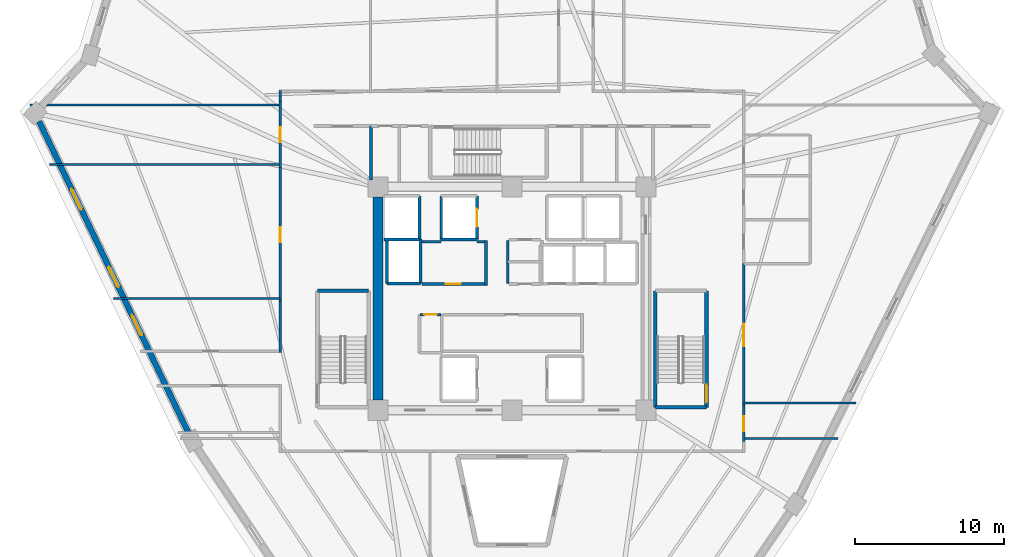
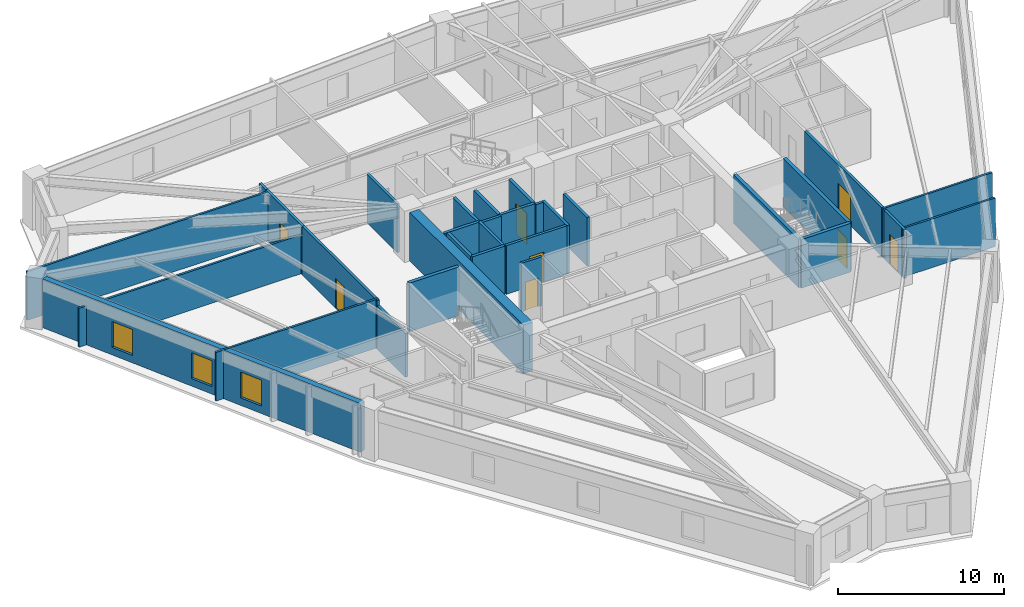
# One storey, part 4 of 8: 32 walls, 8 doors, 3 windows, 11 openings.
"""IFC4 building model written with IfcOpenShell, lengths in metres."""

from ifc_helpers import new_model, si_unit, direction, frame, frame_2d, origin, place, context, subcontext, project, spatial, rectangle, extrude, source, transform, mapped, material, layer, layer_set, type_object, element, fill, save


model = new_model("IFC4")

# Units and contexts
model_context = context("Model", 3, precision=1e-05, world=origin(), true_north=direction((0.0, 1.0)))
body_context = subcontext(model_context, "Body", "Model", "MODEL_VIEW")
ifc_project = project(units=[si_unit("LENGTHUNIT", "METRE"), si_unit("AREAUNIT", "SQUARE_METRE"), si_unit("VOLUMEUNIT", "CUBIC_METRE"), si_unit("PLANEANGLEUNIT", "RADIAN"), si_unit("MASSUNIT", "GRAM", prefix="KILO")], contexts=[model_context])

# Site, building, storey
site_placement = place(None, origin())
site = spatial("IfcSite", under=ifc_project, at=site_placement, CompositionType="ELEMENT")
building_placement = place(site_placement, origin())
building = spatial("IfcBuilding", under=site, at=building_placement, Name="Liaohun Quay Tower", CompositionType="ELEMENT")
storey_placement = place(building_placement, frame((0.0, 0.0, 247.5)))
storey = spatial("IfcBuildingStorey", under=building, at=storey_placement, Name="L64", CompositionType="ELEMENT", Elevation=247.5)

# Wall
ifc_material_1 = material(Name="Concrete C55", Category="concrete")
ifc_layer_1 = layer(ifc_material_1, 0.64990234375, Name="Concrete C55", Category="concrete")
ifc_layer_set_1 = layer_set([ifc_layer_1], Name="Concrete C55")
wall_type_1 = type_object("IfcWallType", Name="WAL-COR-Z3", PredefinedType="SHEAR", material=ifc_layer_set_1)
wall_1_placement = place(storey_placement, frame((51.0, 47.175048828125, 0.0), z_axis=(0.0, 0.0, 1.0), x_axis=(0.0, 1.0, 0.0)))
element("IfcWall", 1, at=wall_1_placement, inside=storey, type_object=wall_type_1, Name="L64 Central Core Shear Wall W", PredefinedType="SHEAR", context=body_context, shape_type="SweptSolid", body=[
    extrude(rectangle(XDim=13.64990234375, YDim=0.64990234375, at=frame_2d((6.824951171875, 0.0))), origin(), (0.0, 0.0, 1.0), 3.570068359375),
])

# Wall, openings, windows
ifc_material_2 = material(Name="Precast concrete C50 insulated sandwich", Category="concrete")
ifc_layer_2 = layer(ifc_material_2, 0.3798828125, Name="Precast concrete C50 insulated sandwich", Category="concrete")
ifc_layer_set_2 = layer_set([ifc_layer_2], Name="Precast concrete C50 insulated sandwich")
wall_type_2 = type_object("IfcWallType", Name="WAL-EXT-Z34", PredefinedType="SOLIDWALL", material=ifc_layer_set_2)
wall_2_placement = place(storey_placement, frame((28.256103515625, 65.885986328125, 0.0), z_axis=(0.0, 0.0, 1.0), x_axis=(0.432167516052, -0.901793345545, 0.0)))
wall_2 = element("IfcWall", 2, at=wall_2_placement, inside=storey, type_object=wall_type_2, Name="L64 Brutalist Precast Pier Wall 10", PredefinedType="SOLIDWALL", context=body_context, shape_type="SweptSolid", body=[
    extrude(rectangle(XDim=23.1572265625, YDim=0.3798828125, at=frame_2d((11.57861328125, 0.0))), origin(), (0.0, 0.0, 1.0), 3.570068359375),
])
shared_shape_1 = source(origin(), body_context, "Body", "SweptSolid", [
    extrude(rectangle(XDim=1.5, YDim=1.89990234375, at=frame_2d((0.75, 0.949951171875))), frame((0.0, 0.199951171875, 0.0), z_axis=(0.0, -1.0, 0.0), x_axis=(1.0, 0.0, 0.0)), (0.0, 0.0, 1.0), 0.39990234375),
])
opening_1_placement = place(wall_2_placement, frame((5.0390625, 0.0, 0.550048828125)))
opening_1 = element("IfcOpeningElement", 3, at=opening_1_placement, cuts=wall_2, Name="Opening W03", PredefinedType="OPENING", context=body_context, shape_type="MappedRepresentation", body=[
    mapped(shared_shape_1, transform((0.0, 0.0, 0.0), x_axis=(1.0, 0.0, 0.0), y_axis=(0.0, 1.0, 0.0), z_axis=(0.0, 0.0, 1.0), scale=1.0)),
])
opening_2_placement = place(wall_2_placement, frame((10.8291015625, 0.0, 0.550048828125)))
opening_2 = element("IfcOpeningElement", 4, at=opening_2_placement, cuts=wall_2, Name="Opening W03", PredefinedType="OPENING", context=body_context, shape_type="MappedRepresentation", body=[
    mapped(shared_shape_1, transform((0.0, 0.0, 0.0), x_axis=(1.0, 0.0, 0.0), y_axis=(0.0, 1.0, 0.0), z_axis=(0.0, 0.0, 1.0), scale=1.0)),
])
opening_3_placement = place(wall_2_placement, frame((14.41796875, 0.0, 0.550048828125)))
opening_3 = element("IfcOpeningElement", 5, at=opening_3_placement, cuts=wall_2, Name="Opening W03", PredefinedType="OPENING", context=body_context, shape_type="MappedRepresentation", body=[
    mapped(shared_shape_1, transform((0.0, 0.0, 0.0), x_axis=(1.0, 0.0, 0.0), y_axis=(0.0, 1.0, 0.0), z_axis=(0.0, 0.0, 1.0), scale=1.0)),
])
ifc_material_3 = material(Name="Triple Low-E argon glazing in thermally broken aluminium", Category="aluminium")
window_type = type_object("IfcWindowType", Name="WIN-PUN-Z3", PartitioningType="DOUBLE_PANEL_VERTICAL", PredefinedType="WINDOW", material=ifc_material_3)
shared_shape_2 = source(origin(), body_context, "Body", "SweptSolid", [
    extrude(rectangle(XDim=1.5, YDim=1.89990234375, at=frame_2d((0.75, 0.949951171875))), frame((0.0, 0.030029296875, 0.0), z_axis=(0.0, -1.0, 0.0), x_axis=(1.0, 0.0, 0.0)), (0.0, 0.0, 1.0), 0.06005859375),
])
window_1_placement = place(opening_1_placement, origin())
window_1 = element("IfcWindow", 6, at=window_1_placement, inside=storey, type_object=window_type, Name="L64 Recessed Cold-Climate Punched Window 10-1", OverallHeight=1.89990234375, OverallWidth=1.5, PartitioningType="DOUBLE_PANEL_VERTICAL", PredefinedType="WINDOW", context=body_context, shape_type="MappedRepresentation", body=[
    mapped(shared_shape_2, transform((0.0, 0.0, 0.0), x_axis=(1.0, 0.0, 0.0), y_axis=(0.0, 1.0, 0.0), z_axis=(0.0, 0.0, 1.0), scale=1.0)),
])
fill(opening_1, window_1)
window_2_placement = place(opening_2_placement, origin())
window_2 = element("IfcWindow", 7, at=window_2_placement, inside=storey, type_object=window_type, Name="L64 Recessed Cold-Climate Punched Window 10-2", OverallHeight=1.89990234375, OverallWidth=1.5, PartitioningType="DOUBLE_PANEL_VERTICAL", PredefinedType="WINDOW", context=body_context, shape_type="MappedRepresentation", body=[
    mapped(shared_shape_2, transform((0.0, 0.0, 0.0), x_axis=(1.0, 0.0, 0.0), y_axis=(0.0, 1.0, 0.0), z_axis=(0.0, 0.0, 1.0), scale=1.0)),
])
fill(opening_2, window_2)
window_3_placement = place(opening_3_placement, origin())
window_3 = element("IfcWindow", 8, at=window_3_placement, inside=storey, type_object=window_type, Name="L64 Recessed Cold-Climate Punched Window 10-3", OverallHeight=1.89990234375, OverallWidth=1.5, PartitioningType="DOUBLE_PANEL_VERTICAL", PredefinedType="WINDOW", context=body_context, shape_type="MappedRepresentation", body=[
    mapped(shared_shape_2, transform((0.0, 0.0, 0.0), x_axis=(1.0, 0.0, 0.0), y_axis=(0.0, 1.0, 0.0), z_axis=(0.0, 0.0, 1.0), scale=1.0)),
])
fill(opening_3, window_3)

# Wall, opening, door
ifc_material_4 = material(Name="Autoclaved aerated concrete blockwork", Category="masonry")
ifc_layer_3 = layer(ifc_material_4, 0.179931640625, Name="Autoclaved aerated concrete blockwork", Category="masonry")
ifc_layer_set_3 = layer_set([ifc_layer_3], Name="Autoclaved aerated concrete blockwork")
wall_type_3 = type_object("IfcWallType", Name="WAL-PRT-COR", PredefinedType="PARTITIONING", material=ifc_layer_set_3)
wall_3_placement = place(storey_placement, frame((53.949951171875, 54.97998046875, 0.0), z_axis=(0.0, 0.0, 1.0), x_axis=(1.0, 0.0, 0.0)))
wall_3 = element("IfcWall", 9, at=wall_3_placement, inside=storey, type_object=wall_type_3, Name="L64 Interior Partition Wall 002", PredefinedType="PARTITIONING", context=body_context, shape_type="SweptSolid", body=[
    extrude(rectangle(XDim=4.2099609375, YDim=0.179931640625, at=frame_2d((2.10498046875, 0.0))), origin(), (0.0, 0.0, 1.0), 3.570068359375),
])
shared_shape_3 = source(origin(), body_context, "Body", "SweptSolid", [
    extrude(rectangle(XDim=1.0, YDim=2.199951171875, at=frame_2d((0.5, 1.10009765625))), frame((0.0, 0.099853515625, 0.0), z_axis=(0.0, -1.0, 0.0), x_axis=(1.0, 0.0, 0.0)), (0.0, 0.0, 1.0), 0.199951171875),
])
opening_4_placement = place(wall_3_placement, frame((1.60009765625, 0.0, 0.0)))
opening_4 = element("IfcOpeningElement", 10, at=opening_4_placement, cuts=wall_3, Name="Opening OD1", PredefinedType="OPENING", context=body_context, shape_type="MappedRepresentation", body=[
    mapped(shared_shape_3, transform((0.0, 0.0, 0.0), x_axis=(1.0, 0.0, 0.0), y_axis=(0.0, 1.0, 0.0), z_axis=(0.0, 0.0, 1.0), scale=1.0)),
])
ifc_material_5 = material(Name="Solid-core oak veneer timber leaf in steel frame", Category="steel")
door_type_1 = type_object("IfcDoorType", Name="DOR-OFF-1000", OperationType="NOTDEFINED", PredefinedType="DOOR", material=ifc_material_5)
shared_shape_4 = source(origin(), body_context, "Body", "SweptSolid", [
    extrude(rectangle(XDim=1.0, YDim=2.199951171875, at=frame_2d((0.5, 1.10009765625))), frame((0.0, 0.02490234375, 0.0), z_axis=(0.0, -1.0, 0.0), x_axis=(1.0, 0.0, 0.0)), (0.0, 0.0, 1.0), 0.050048828125),
])
door_1_placement = place(opening_4_placement, origin())
door_1 = element("IfcDoor", 11, at=door_1_placement, inside=storey, type_object=door_type_1, Name="L64 Core Staff Pantry and Tea Room Door", OperationType="SINGLE_SWING_RIGHT", OverallHeight=2.199951171875, OverallWidth=1.0, PredefinedType="DOOR", context=body_context, shape_type="MappedRepresentation", body=[
    mapped(shared_shape_4, transform((0.0, 0.0, 0.0), x_axis=(1.0, 0.0, 0.0), y_axis=(0.0, 1.0, 0.0), z_axis=(0.0, 0.0, 1.0), scale=1.0)),
])
fill(opening_4, door_1)

wall_4_placement = place(storey_placement, frame((53.820068359375, 52.919921875, 0.0), z_axis=(0.0, 0.0, 1.0), x_axis=(1.0, 0.0, 0.0)))
wall_4 = element("IfcWall", 12, at=wall_4_placement, inside=storey, type_object=wall_type_3, Name="L64 Interior Partition Wall 005", PredefinedType="PARTITIONING", context=body_context, shape_type="SweptSolid", body=[
    extrude(rectangle(XDim=1.429931640625, YDim=0.179931640625, at=frame_2d((0.71484375, 0.0))), origin(), (0.0, 0.0, 1.0), 3.570068359375),
])
shared_shape_5 = source(origin(), body_context, "Body", "SweptSolid", [
    extrude(rectangle(XDim=0.85009765625, YDim=2.10009765625, at=frame_2d((0.425048828125, 1.050048828125))), frame((0.0, 0.099853515625, 0.0), z_axis=(0.0, -1.0, 0.0), x_axis=(1.0, 0.0, 0.0)), (0.0, 0.0, 1.0), 0.199951171875),
])
opening_5_placement = place(wall_4_placement, frame((0.2900390625, 0.0, 0.0)))
opening_5 = element("IfcOpeningElement", 13, at=opening_5_placement, cuts=wall_4, Name="Opening AD1", PredefinedType="OPENING", context=body_context, shape_type="MappedRepresentation", body=[
    mapped(shared_shape_5, transform((0.0, 0.0, 0.0), x_axis=(1.0, 0.0, 0.0), y_axis=(0.0, 1.0, 0.0), z_axis=(0.0, 0.0, 1.0), scale=1.0)),
])
ifc_material_6 = material(Name="Steel riser inspection fire door", Category="steel")
door_type_2 = type_object("IfcDoorType", Name="DOR-SHF-850", OperationType="NOTDEFINED", PredefinedType="DOOR", material=ifc_material_6)
shared_shape_6 = source(origin(), body_context, "Body", "SweptSolid", [
    extrude(rectangle(XDim=0.85009765625, YDim=2.10009765625, at=frame_2d((0.425048828125, 1.050048828125))), frame((0.0, 0.02490234375, 0.0), z_axis=(0.0, -1.0, 0.0), x_axis=(1.0, 0.0, 0.0)), (0.0, 0.0, 1.0), 0.050048828125),
])
door_2_placement = place(opening_5_placement, origin())
door_2 = element("IfcDoor", 14, at=door_2_placement, inside=storey, type_object=door_type_2, Name="L64 Core Fire Hose and Riser Closet Door", OperationType="SINGLE_SWING_LEFT", OverallHeight=2.10009765625, OverallWidth=0.85009765625, PredefinedType="DOOR", context=body_context, shape_type="MappedRepresentation", body=[
    mapped(shared_shape_6, transform((0.0, 0.0, 0.0), x_axis=(1.0, 0.0, 0.0), y_axis=(0.0, 1.0, 0.0), z_axis=(0.0, 0.0, 1.0), scale=1.0)),
])
fill(opening_5, door_2)

wall_5_placement = place(storey_placement, frame((75.56005859375, 56.340087890625, 0.0), z_axis=(0.0, 0.0, 1.0), x_axis=(0.0, -1.0, 0.0)))
wall_5 = element("IfcWall", 15, at=wall_5_placement, inside=storey, type_object=wall_type_3, Name="L64 Interior Partition Wall 016", PredefinedType="PARTITIONING", context=body_context, shape_type="SweptSolid", body=[
    extrude(rectangle(XDim=9.55517578125, YDim=0.179931640625, at=frame_2d((4.777587890625, 0.0))), origin(), (0.0, 0.0, 1.0), 3.570068359375),
])
shared_shape_7 = source(origin(), body_context, "Body", "SweptSolid", [
    extrude(rectangle(XDim=1.5, YDim=2.199951171875, at=frame_2d((0.75, 1.10009765625))), frame((0.0, 0.099853515625, 0.0), z_axis=(0.0, -1.0, 0.0), x_axis=(1.0, 0.0, 0.0)), (0.0, 0.0, 1.0), 0.199951171875),
])
opening_6_placement = place(wall_5_placement, frame((4.028076171875, 0.0, 0.0)))
opening_6 = element("IfcOpeningElement", 16, at=opening_6_placement, cuts=wall_5, Name="Opening OD2", PredefinedType="OPENING", context=body_context, shape_type="MappedRepresentation", body=[
    mapped(shared_shape_7, transform((0.0, 0.0, 0.0), x_axis=(1.0, 0.0, 0.0), y_axis=(0.0, 1.0, 0.0), z_axis=(0.0, 0.0, 1.0), scale=1.0)),
])
ifc_material_7 = material(Name="Acoustic oak veneer double door")
door_type_3 = type_object("IfcDoorType", Name="DOR-OFF-1500", OperationType="DOUBLE_DOOR_SINGLE_SWING", PredefinedType="DOOR", material=ifc_material_7)
shared_shape_8 = source(origin(), body_context, "Body", "SweptSolid", [
    extrude(rectangle(XDim=1.5, YDim=2.199951171875, at=frame_2d((0.75, 1.10009765625))), frame((0.0, 0.02490234375, 0.0), z_axis=(0.0, -1.0, 0.0), x_axis=(1.0, 0.0, 0.0)), (0.0, 0.0, 1.0), 0.050048828125),
])
door_3_placement = place(opening_6_placement, origin())
door_3 = element("IfcDoor", 17, at=door_3_placement, inside=storey, type_object=door_type_3, Name="L64 Digital Prototyping Laboratory 01 Door", OperationType="DOUBLE_DOOR_SINGLE_SWING", OverallHeight=2.199951171875, OverallWidth=1.5, PredefinedType="DOOR", context=body_context, shape_type="MappedRepresentation", body=[
    mapped(shared_shape_8, transform((0.0, 0.0, 0.0), x_axis=(1.0, 0.0, 0.0), y_axis=(0.0, 1.0, 0.0), z_axis=(0.0, 0.0, 1.0), scale=1.0)),
])
fill(opening_6, door_3)

wall_6_placement = place(storey_placement, frame((44.43994140625, 62.784912109375, 0.0), z_axis=(0.0, 0.0, 1.0), x_axis=(0.0, 1.0, 0.0)))
wall_6 = element("IfcWall", 18, at=wall_6_placement, inside=storey, type_object=wall_type_3, Name="L64 Interior Partition Wall 022", PredefinedType="PARTITIONING", context=body_context, shape_type="SweptSolid", body=[
    extrude(rectangle(XDim=4.43017578125, YDim=0.179931640625, at=frame_2d((2.215087890625, 0.0))), origin(), (0.0, 0.0, 1.0), 3.570068359375),
])
opening_7_placement = place(wall_6_placement, frame((1.715087890625, 0.0, 0.0)))
opening_7 = element("IfcOpeningElement", 19, at=opening_7_placement, cuts=wall_6, Name="Opening OD1", PredefinedType="OPENING", context=body_context, shape_type="MappedRepresentation", body=[
    mapped(shared_shape_3, transform((0.0, 0.0, 0.0), x_axis=(1.0, 0.0, 0.0), y_axis=(0.0, 1.0, 0.0), z_axis=(0.0, 0.0, 1.0), scale=1.0)),
])
door_4_placement = place(opening_7_placement, origin())
door_4 = element("IfcDoor", 20, at=door_4_placement, inside=storey, type_object=door_type_1, Name="L64 Digital Prototyping Laboratory 07 Door", OperationType="SINGLE_SWING_RIGHT", OverallHeight=2.199951171875, OverallWidth=1.0, PredefinedType="DOOR", context=body_context, shape_type="MappedRepresentation", body=[
    mapped(shared_shape_4, transform((0.0, 0.0, 0.0), x_axis=(1.0, 0.0, 0.0), y_axis=(0.0, 1.0, 0.0), z_axis=(0.0, 0.0, 1.0), scale=1.0)),
])
fill(opening_7, door_4)

wall_7_placement = place(storey_placement, frame((44.43994140625, 53.784912109375, 0.0), z_axis=(0.0, 0.0, 1.0), x_axis=(0.0, 1.0, 0.0)))
wall_7 = element("IfcWall", 21, at=wall_7_placement, inside=storey, type_object=wall_type_3, Name="L64 Interior Partition Wall 023", PredefinedType="PARTITIONING", context=body_context, shape_type="SweptSolid", body=[
    extrude(rectangle(XDim=9.0, YDim=0.179931640625, at=frame_2d((4.5, 0.0))), origin(), (0.0, 0.0, 1.0), 3.570068359375),
])
opening_8_placement = place(wall_7_placement, frame((4.0, 0.0, 0.0)))
opening_8 = element("IfcOpeningElement", 22, at=opening_8_placement, cuts=wall_7, Name="Opening OD1", PredefinedType="OPENING", context=body_context, shape_type="MappedRepresentation", body=[
    mapped(shared_shape_3, transform((0.0, 0.0, 0.0), x_axis=(1.0, 0.0, 0.0), y_axis=(0.0, 1.0, 0.0), z_axis=(0.0, 0.0, 1.0), scale=1.0)),
])
door_5_placement = place(opening_8_placement, origin())
door_5 = element("IfcDoor", 23, at=door_5_placement, inside=storey, type_object=door_type_1, Name="L64 Occupational Wellness Clinic 08 Door", OperationType="SINGLE_SWING_LEFT", OverallHeight=2.199951171875, OverallWidth=1.0, PredefinedType="DOOR", context=body_context, shape_type="MappedRepresentation", body=[
    mapped(shared_shape_4, transform((0.0, 0.0, 0.0), x_axis=(1.0, 0.0, 0.0), y_axis=(0.0, 1.0, 0.0), z_axis=(0.0, 0.0, 1.0), scale=1.0)),
])
fill(opening_8, door_5)

wall_8_placement = place(storey_placement, frame((75.56005859375, 46.784912109375, 0.0), z_axis=(0.0, 0.0, 1.0), x_axis=(0.0, -1.0, 0.0)))
wall_8 = element("IfcWall", 24, at=wall_8_placement, inside=storey, type_object=wall_type_3, Name="L64 Interior Partition Wall 028", PredefinedType="PARTITIONING", context=body_context, shape_type="SweptSolid", body=[
    extrude(rectangle(XDim=2.39990234375, YDim=0.179931640625, at=frame_2d((1.199951171875, 0.0))), origin(), (0.0, 0.0, 1.0), 3.570068359375),
])
opening_9_placement = place(wall_8_placement, frame((0.699951171875, 0.0, 0.0)))
opening_9 = element("IfcOpeningElement", 25, at=opening_9_placement, cuts=wall_8, Name="Opening OD1", PredefinedType="OPENING", context=body_context, shape_type="MappedRepresentation", body=[
    mapped(shared_shape_3, transform((0.0, 0.0, 0.0), x_axis=(1.0, 0.0, 0.0), y_axis=(0.0, 1.0, 0.0), z_axis=(0.0, 0.0, 1.0), scale=1.0)),
])
door_6_placement = place(opening_9_placement, origin())
door_6 = element("IfcDoor", 26, at=door_6_placement, inside=storey, type_object=door_type_1, Name="L64 Regional Advisory Office 13 Door", OperationType="SINGLE_SWING_RIGHT", OverallHeight=2.199951171875, OverallWidth=1.0, PredefinedType="DOOR", context=body_context, shape_type="MappedRepresentation", body=[
    mapped(shared_shape_4, transform((0.0, 0.0, 0.0), x_axis=(1.0, 0.0, 0.0), y_axis=(0.0, 1.0, 0.0), z_axis=(0.0, 0.0, 1.0), scale=1.0)),
])
fill(opening_9, door_6)

# Walls
wall_9_placement = place(storey_placement, frame((59.719970703125, 55.02001953125, 0.0), z_axis=(0.0, 0.0, 1.0), x_axis=(0.0, 1.0, 0.0)))
element("IfcWall", 27, at=wall_9_placement, inside=storey, type_object=wall_type_3, Name="L64 Interior Partition Wall 029", PredefinedType="PARTITIONING", context=body_context, shape_type="SweptSolid", body=[
    extrude(rectangle(XDim=2.8798828125, YDim=0.179931640625, at=frame_2d((1.43994140625, 0.0))), origin(), (0.0, 0.0, 1.0), 3.570068359375),
])
wall_10_placement = place(storey_placement, frame((50.5400390625, 61.949951171875, 0.0), z_axis=(0.0, 0.0, 1.0), x_axis=(0.0, 1.0, 0.0)))
element("IfcWall", 28, at=wall_10_placement, inside=storey, type_object=wall_type_3, Name="L64 Interior Partition Wall 040", PredefinedType="PARTITIONING", context=body_context, shape_type="SweptSolid", body=[
    extrude(rectangle(XDim=3.630126953125, YDim=0.179931640625, at=frame_2d((1.81494140625, 0.0))), origin(), (0.0, 0.0, 1.0), 3.570068359375),
])
wall_11_placement = place(storey_placement, frame((44.43994140625, 67.215087890625, 0.0), z_axis=(0.0, 0.0, 1.0), x_axis=(0.0, 1.0, 0.0)))
element("IfcWall", 29, at=wall_11_placement, inside=storey, type_object=wall_type_3, Name="L64 Interior Partition Wall 049", PredefinedType="PARTITIONING", context=body_context, shape_type="SweptSolid", body=[
    extrude(rectangle(XDim=0.764892578125, YDim=0.179931640625, at=frame_2d((0.38232421875, 0.0))), origin(), (0.0, 0.0, 1.0), 3.570068359375),
])
wall_12_placement = place(storey_placement, frame((44.43994140625, 50.389892578125, 0.0), z_axis=(0.0, 0.0, 1.0), x_axis=(0.0, 1.0, 0.0)))
element("IfcWall", 30, at=wall_12_placement, inside=storey, type_object=wall_type_3, Name="L64 Interior Partition Wall 050", PredefinedType="PARTITIONING", context=body_context, shape_type="SweptSolid", body=[
    extrude(rectangle(XDim=3.39501953125, YDim=0.179931640625, at=frame_2d((1.697509765625, 0.0))), origin(), (0.0, 0.0, 1.0), 3.205078125),
])
wall_13_placement = place(storey_placement, frame((58.25, 54.889892578125, 0.0), z_axis=(0.0, 0.0, 1.0), x_axis=(0.0, 1.0, 0.0)))
element("IfcWall", 31, at=wall_13_placement, inside=storey, type_object=wall_type_3, Name="L64 Interior Partition Wall 068", PredefinedType="PARTITIONING", context=body_context, shape_type="SweptSolid", body=[
    extrude(rectangle(XDim=3.02001953125, YDim=0.179931640625, at=frame_2d((1.510009765625, 0.0))), origin(), (0.0, 0.0, 1.0), 3.570068359375),
])
wall_14_placement = place(storey_placement, frame((53.949951171875, 57.820068359375, 0.0), z_axis=(0.0, 0.0, 1.0), x_axis=(1.0, 0.0, 0.0)))
element("IfcWall", 32, at=wall_14_placement, inside=storey, type_object=wall_type_3, Name="L64 Interior Partition Wall 069", PredefinedType="PARTITIONING", context=body_context, shape_type="SweptSolid", body=[
    extrude(rectangle(XDim=1.300048828125, YDim=0.179931640625, at=frame_2d((0.64990234375, 0.0))), origin(), (0.0, 0.0, 1.0), 3.570068359375),
])
wall_15_placement = place(storey_placement, frame((57.64990234375, 57.820068359375, 0.0), z_axis=(0.0, 0.0, 1.0), x_axis=(1.0, 0.0, 0.0)))
element("IfcWall", 33, at=wall_15_placement, inside=storey, type_object=wall_type_3, Name="L64 Interior Partition Wall 070", PredefinedType="PARTITIONING", context=body_context, shape_type="SweptSolid", body=[
    extrude(rectangle(XDim=0.510009765625, YDim=0.179931640625, at=frame_2d((0.2548828125, 0.0))), origin(), (0.0, 0.0, 1.0), 3.570068359375),
])
ifc_material_8 = material(Name="Gypsum board on twin steel studs", Category="steel")
ifc_layer_4 = layer(ifc_material_8, 0.139892578125, Name="Gypsum board on twin steel studs", Category="steel")
ifc_layer_set_4 = layer_set([ifc_layer_4], Name="Gypsum board on twin steel studs")
wall_type_4 = type_object("IfcWallType", Name="WAL-PRT-OFF", PredefinedType="PARTITIONING", material=ifc_layer_set_4)
wall_16_placement = place(storey_placement, frame((44.5400390625, 54.0, 0.0), z_axis=(0.0, 0.0, 1.0), x_axis=(-1.0, 0.0, 0.0)))
element("IfcWall", 34, at=wall_16_placement, inside=storey, type_object=wall_type_4, Name="L64 Interior Partition Wall 056", PredefinedType="PARTITIONING", context=body_context, shape_type="SweptSolid", body=[
    extrude(rectangle(XDim=11.287109375, YDim=0.139892578125, at=frame_2d((5.6435546875, 0.0))), origin(), (0.0, 0.0, 1.0), 3.570068359375),
])
wall_17_placement = place(storey_placement, frame((44.5400390625, 63.0, 0.0), z_axis=(0.0, 0.0, 1.0), x_axis=(-1.0, 0.0, 0.0)))
element("IfcWall", 35, at=wall_17_placement, inside=storey, type_object=wall_type_4, Name="L64 Interior Partition Wall 057", PredefinedType="PARTITIONING", context=body_context, shape_type="SweptSolid", body=[
    extrude(rectangle(XDim=15.60009765625, YDim=0.139892578125, at=frame_2d((7.800048828125, 0.0))), origin(), (0.0, 0.0, 1.0), 2.85498046875),
])
wall_18_placement = place(storey_placement, frame((44.5400390625, 67.0, 0.0), z_axis=(0.0, 0.0, 1.0), x_axis=(-1.0, 0.0, 0.0)))
element("IfcWall", 36, at=wall_18_placement, inside=storey, type_object=wall_type_4, Name="L64 Interior Partition Wall 058", PredefinedType="PARTITIONING", context=body_context, shape_type="SweptSolid", body=[
    extrude(rectangle(XDim=16.887939453125, YDim=0.139892578125, at=frame_2d((8.44384765625, 0.0))), origin(), (0.0, 0.0, 1.0), 3.570068359375),
])
wall_19_placement = place(storey_placement, frame((75.4599609375, 44.60009765625, 0.0), z_axis=(0.0, 0.0, 1.0), x_axis=(1.0, 0.0, 0.0)))
element("IfcWall", 37, at=wall_19_placement, inside=storey, type_object=wall_type_4, Name="L64 Interior Partition Wall 059", PredefinedType="PARTITIONING", context=body_context, shape_type="SweptSolid", body=[
    extrude(rectangle(XDim=6.43701171875, YDim=0.139892578125, at=frame_2d((3.218505859375, 0.0))), origin(), (0.0, 0.0, 1.0), 3.570068359375),
])
wall_20_placement = place(storey_placement, frame((75.4599609375, 47.0, 0.0), z_axis=(0.0, 0.0, 1.0), x_axis=(1.0, 0.0, 0.0)))
element("IfcWall", 38, at=wall_20_placement, inside=storey, type_object=wall_type_4, Name="L64 Interior Partition Wall 060", PredefinedType="PARTITIONING", context=body_context, shape_type="SweptSolid", body=[
    extrude(rectangle(XDim=7.625, YDim=0.139892578125, at=frame_2d((3.8125, 0.0))), origin(), (0.0, 0.0, 1.0), 3.570068359375),
])
ifc_material_9 = material(Name="Concrete C50", Category="concrete")
ifc_layer_5 = layer(ifc_material_9, 0.239990234375, Name="Concrete C50", Category="concrete")
ifc_layer_set_5 = layer_set([ifc_layer_5], Name="Concrete C50")
wall_type_5 = type_object("IfcWallType", Name="WAL-SHF-200", PredefinedType="SOLIDWALL", material=ifc_layer_set_5)
for number, where, z_axis, x_axis, name in (
    (39, (50.3798828125, 54.52001953125, 0.0), (0.0, 0.0, 1.0), (-1.0, 0.0, 0.0), "L64 Stairwell ST-1 Structural Core Wall N"),
    (40, (69.6201171875, 46.699951171875, 0.0), (0.0, 0.0, 1.0), (1.0, 0.0, 0.0), "L64 Stairwell ST-2 Structural Core Wall S"),
):
    element("IfcWall", number, at=place(storey_placement, frame(where, z_axis=z_axis, x_axis=x_axis)), inside=storey, type_object=wall_type_5, Name=name, PredefinedType="SOLIDWALL", context=body_context, shape_type="SweptSolid", body=[
        extrude(rectangle(XDim=3.43994140625, YDim=0.239990234375, at=frame_2d((1.719970703125, 0.0))), origin(), (0.0, 0.0, 1.0), 3.570068359375),
    ])

# Wall, opening, door
wall_21_placement = place(storey_placement, frame((73.06005859375, 46.699951171875, 0.0), z_axis=(0.0, 0.0, 1.0), x_axis=(0.0, 1.0, 0.0)))
wall_21 = element("IfcWall", 41, at=wall_21_placement, inside=storey, type_object=wall_type_5, Name="L64 Stairwell ST-2 Structural Core Wall E", PredefinedType="SOLIDWALL", context=body_context, shape_type="SweptSolid", body=[
    extrude(rectangle(XDim=7.820068359375, YDim=0.239990234375, at=frame_2d((3.91015625, 0.0))), origin(), (0.0, 0.0, 1.0), 3.570068359375),
])
shared_shape_9 = source(origin(), body_context, "Body", "SweptSolid", [
    extrude(rectangle(XDim=1.199951171875, YDim=2.199951171875, at=frame_2d((0.60009765625, 1.10009765625))), frame((0.0, 0.1298828125, 0.0), z_axis=(0.0, -1.0, 0.0), x_axis=(1.0, 0.0, 0.0)), (0.0, 0.0, 1.0), 0.260009765625),
])
opening_10_placement = place(wall_21_placement, frame((0.320068359375, 0.0, 0.0)))
opening_10 = element("IfcOpeningElement", 42, at=opening_10_placement, cuts=wall_21, Name="Opening SD1", PredefinedType="OPENING", context=body_context, shape_type="MappedRepresentation", body=[
    mapped(shared_shape_9, transform((0.0, 0.0, 0.0), x_axis=(1.0, 0.0, 0.0), y_axis=(0.0, 1.0, 0.0), z_axis=(0.0, 0.0, 1.0), scale=1.0)),
])
ifc_material_10 = material(Name="Galvanised steel fire door", Category="steel")
door_type_4 = type_object("IfcDoorType", Name="DOR-STR-1200", OperationType="NOTDEFINED", PredefinedType="DOOR", material=ifc_material_10)
shared_shape_10 = source(origin(), body_context, "Body", "SweptSolid", [
    extrude(rectangle(XDim=1.199951171875, YDim=2.199951171875, at=frame_2d((0.60009765625, 1.10009765625))), frame((0.0, 0.02490234375, 0.0), z_axis=(0.0, -1.0, 0.0), x_axis=(1.0, 0.0, 0.0)), (0.0, 0.0, 1.0), 0.050048828125),
])
door_7_placement = place(opening_10_placement, origin())
door_7 = element("IfcDoor", 43, at=door_7_placement, inside=storey, type_object=door_type_4, Name="L64 Protected Stair ST-2 Fire Door", OperationType="SINGLE_SWING_RIGHT", OverallHeight=2.199951171875, OverallWidth=1.199951171875, PredefinedType="DOOR", context=body_context, shape_type="MappedRepresentation", body=[
    mapped(shared_shape_10, transform((0.0, 0.0, 0.0), x_axis=(1.0, 0.0, 0.0), y_axis=(0.0, 1.0, 0.0), z_axis=(0.0, 0.0, 1.0), scale=1.0)),
])
fill(opening_10, door_7)

# Walls
wall_22_placement = place(storey_placement, frame((69.6201171875, 54.52001953125, 0.0), z_axis=(0.0, 0.0, 1.0), x_axis=(0.0, -1.0, 0.0)))
element("IfcWall", 44, at=wall_22_placement, inside=storey, type_object=wall_type_5, Name="L64 Stairwell ST-2 Structural Core Wall W", PredefinedType="SOLIDWALL", context=body_context, shape_type="SweptSolid", body=[
    extrude(rectangle(XDim=7.820068359375, YDim=0.239990234375, at=frame_2d((3.91015625, 0.0))), origin(), (0.0, 0.0, 1.0), 3.570068359375),
])
wall_23_placement = place(storey_placement, frame((55.25, 57.949951171875, 0.0), z_axis=(0.0, 0.0, 1.0), x_axis=(1.0, 0.0, 0.0)))
element("IfcWall", 45, at=wall_23_placement, inside=storey, type_object=wall_type_5, Name="L64 Lift FF-03 Hoistway Wall S", PredefinedType="SOLIDWALL", context=body_context, shape_type="SweptSolid", body=[
    extrude(rectangle(XDim=2.39990234375, YDim=0.199951171875, at=frame_2d((1.199951171875, 0.0))), origin(), (0.0, 0.0, 1.0), 3.570068359375),
])

# Wall, opening, door
wall_24_placement = place(storey_placement, frame((57.64990234375, 57.949951171875, 0.0), z_axis=(0.0, 0.0, 1.0), x_axis=(0.0, 1.0, 0.0)))
wall_24 = element("IfcWall", 46, at=wall_24_placement, inside=storey, type_object=wall_type_5, Name="L64 Lift FF-03 Hoistway Wall E", PredefinedType="SOLIDWALL", context=body_context, shape_type="SweptSolid", body=[
    extrude(rectangle(XDim=2.929931640625, YDim=0.199951171875, at=frame_2d((1.46484375, 0.0))), origin(), (0.0, 0.0, 1.0), 3.570068359375),
])
shared_shape_11 = source(origin(), body_context, "Body", "SweptSolid", [
    extrude(rectangle(XDim=1.199951171875, YDim=2.300048828125, at=frame_2d((0.60009765625, 1.14990234375))), frame((0.0, 0.10986328125, 0.0), z_axis=(0.0, -1.0, 0.0), x_axis=(1.0, 0.0, 0.0)), (0.0, 0.0, 1.0), 0.219970703125),
])
opening_11_placement = place(wall_24_placement, frame((0.864990234375, 0.0, 0.0)))
opening_11 = element("IfcOpeningElement", 47, at=opening_11_placement, cuts=wall_24, Name="Opening LD2", PredefinedType="OPENING", context=body_context, shape_type="MappedRepresentation", body=[
    mapped(shared_shape_11, transform((0.0, 0.0, 0.0), x_axis=(1.0, 0.0, 0.0), y_axis=(0.0, 1.0, 0.0), z_axis=(0.0, 0.0, 1.0), scale=1.0)),
])
ifc_material_11 = material(Name="Brushed stainless steel stretcher landing door", Category="steel")
door_type_5 = type_object("IfcDoorType", Name="DOR-LFT-1200", OperationType="SLIDING_TO_LEFT", PredefinedType="DOOR", material=ifc_material_11)
shared_shape_12 = source(origin(), body_context, "Body", "SweptSolid", [
    extrude(rectangle(XDim=1.199951171875, YDim=2.300048828125, at=frame_2d((0.60009765625, 1.14990234375))), frame((0.0, 0.02490234375, 0.0), z_axis=(0.0, -1.0, 0.0), x_axis=(1.0, 0.0, 0.0)), (0.0, 0.0, 1.0), 0.050048828125),
])
door_8_placement = place(opening_11_placement, origin())
door_8 = element("IfcDoor", 48, at=door_8_placement, inside=storey, type_object=door_type_5, Name="L64 Lift FF-03 Sliding Landing Door", OperationType="SLIDING_TO_LEFT", OverallHeight=2.300048828125, OverallWidth=1.199951171875, PredefinedType="DOOR", context=body_context, shape_type="MappedRepresentation", body=[
    mapped(shared_shape_12, transform((0.0, 0.0, 0.0), x_axis=(1.0, 0.0, 0.0), y_axis=(0.0, 1.0, 0.0), z_axis=(0.0, 0.0, 1.0), scale=1.0)),
])
fill(opening_11, door_8)

# Walls
wall_25_placement = place(storey_placement, frame((55.25, 60.8798828125, 0.0), z_axis=(0.0, 0.0, 1.0), x_axis=(0.0, -1.0, 0.0)))
element("IfcWall", 49, at=wall_25_placement, inside=storey, type_object=wall_type_5, Name="L64 Lift FF-03 Hoistway Wall W", PredefinedType="SOLIDWALL", context=body_context, shape_type="SweptSolid", body=[
    extrude(rectangle(XDim=2.929931640625, YDim=0.199951171875, at=frame_2d((1.46484375, 0.0))), origin(), (0.0, 0.0, 1.0), 3.570068359375),
])
wall_26_placement = place(storey_placement, frame((51.39990234375, 57.949951171875, 0.0), z_axis=(0.0, 0.0, 1.0), x_axis=(1.0, 0.0, 0.0)))
element("IfcWall", 50, at=wall_26_placement, inside=storey, type_object=wall_type_5, Name="L64 Lift SH-01 Hoistway Wall S", PredefinedType="SOLIDWALL", context=body_context, shape_type="SweptSolid", body=[
    extrude(rectangle(XDim=2.400146484375, YDim=0.199951171875, at=frame_2d((1.2001953125, 0.0))), origin(), (0.0, 0.0, 1.0), 3.570068359375),
])
wall_27_placement = place(storey_placement, frame((53.800048828125, 57.949951171875, 0.0), z_axis=(0.0, 0.0, 1.0), x_axis=(0.0, 1.0, 0.0)))
element("IfcWall", 51, at=wall_27_placement, inside=storey, type_object=wall_type_5, Name="L64 Lift SH-01 Hoistway Wall E", PredefinedType="SOLIDWALL", context=body_context, shape_type="SweptSolid", body=[
    extrude(rectangle(XDim=2.929931640625, YDim=0.199951171875, at=frame_2d((1.46484375, 0.0))), origin(), (0.0, 0.0, 1.0), 3.570068359375),
])
wall_28_placement = place(storey_placement, frame((51.6201171875, 55.0, 0.0), z_axis=(0.0, 0.0, 1.0), x_axis=(1.0, 0.0, 0.0)))
element("IfcWall", 52, at=wall_28_placement, inside=storey, type_object=wall_type_5, Name="L64 Lift SH-02 Hoistway Wall S", PredefinedType="SOLIDWALL", context=body_context, shape_type="SweptSolid", body=[
    extrude(rectangle(XDim=2.22998046875, YDim=0.199951171875, at=frame_2d((1.114990234375, 0.0))), origin(), (0.0, 0.0, 1.0), 3.570068359375),
])
for number, where, z_axis, x_axis, name in (
    (53, (53.85009765625, 55.0, 0.0), (0.0, 0.0, 1.0), (0.0, 1.0, 0.0), "L64 Lift SH-02 Hoistway Wall E"),
    (54, (51.6201171875, 58.0, 0.0), (0.0, 0.0, 1.0), (0.0, -1.0, 0.0), "L64 Lift SH-02 Hoistway Wall W"),
):
    element("IfcWall", number, at=place(storey_placement, frame(where, z_axis=z_axis, x_axis=x_axis)), inside=storey, type_object=wall_type_5, Name=name, PredefinedType="SOLIDWALL", context=body_context, shape_type="SweptSolid", body=[
        extrude(rectangle(XDim=3.0, YDim=0.199951171875, at=frame_2d((1.5, 0.0))), origin(), (0.0, 0.0, 1.0), 3.570068359375),
    ])

save(model, "model.ifc")
